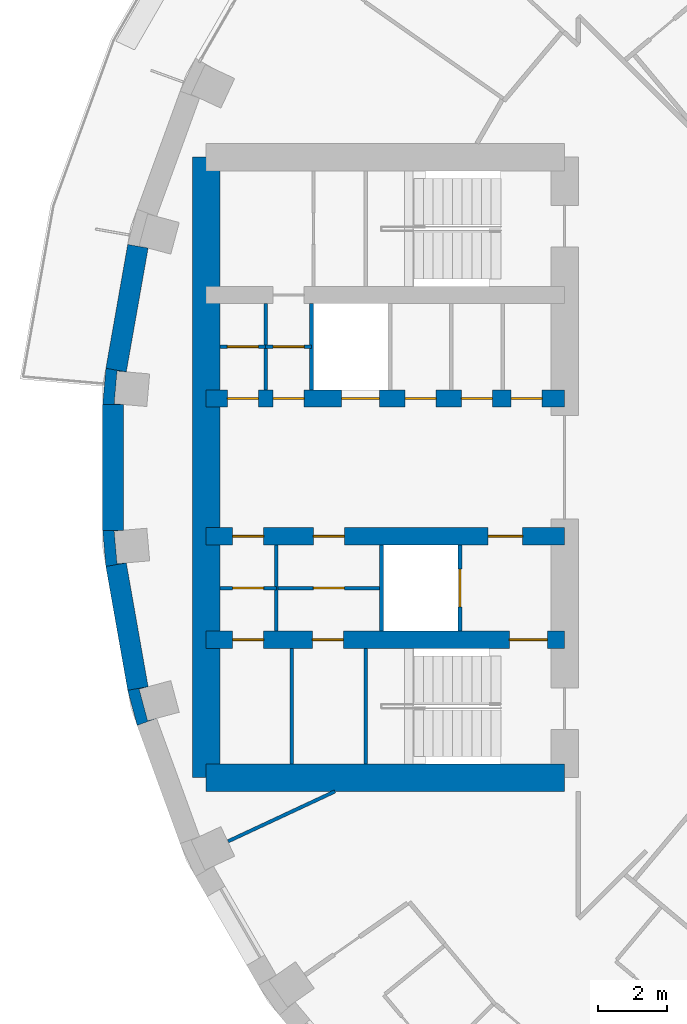
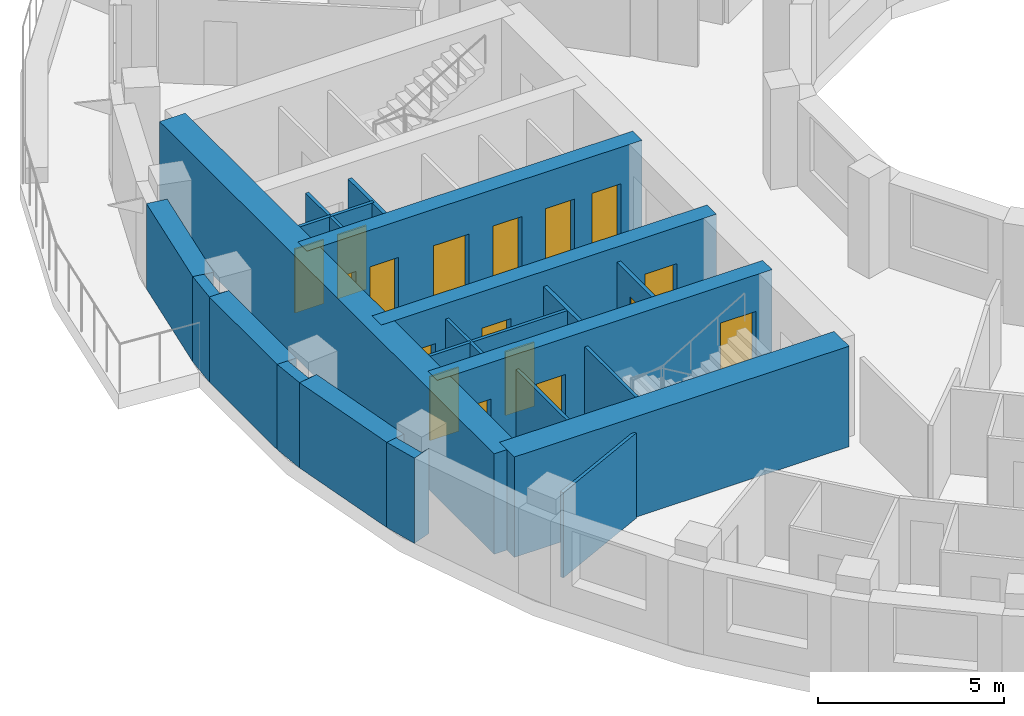
# One storey, part 6 of 14: 23 walls, 17 doors, 17 openings.
"""IFC4 building model written with IfcOpenShell, lengths in metres."""

from ifc_helpers import new_model, si_unit, direction, frame, frame_2d, origin, place, context, subcontext, project, spatial, polyline, rectangle, outline, extrude, material, layer, layer_set, type_object, element, fill, save


model = new_model("IFC4")

# Units and contexts
model_context = context("Model", 3, precision=1e-05, world=origin(), true_north=direction((0.0, 1.0)))
body_context = subcontext(model_context, "Body", "Model", "MODEL_VIEW")
ifc_project = project(units=[si_unit("LENGTHUNIT", "METRE"), si_unit("AREAUNIT", "SQUARE_METRE"), si_unit("VOLUMEUNIT", "CUBIC_METRE"), si_unit("PLANEANGLEUNIT", "RADIAN"), si_unit("MASSUNIT", "GRAM", prefix="KILO")], contexts=[model_context])

# Site, building, storey
site_placement = place(None, origin())
site = spatial("IfcSite", under=ifc_project, at=site_placement, CompositionType="ELEMENT")
building_placement = place(site_placement, origin())
building = spatial("IfcBuilding", under=site, at=building_placement, Name="Saqina Gate Tower", CompositionType="ELEMENT")
storey_placement = place(building_placement, frame((0.0, 0.0, 105.10009765625)))
storey = spatial("IfcBuildingStorey", under=building, at=storey_placement, Name="L29", CompositionType="ELEMENT", Elevation=105.10009765625)

# Walls
ifc_material_1 = material(Name="Brick masonry (buff)", Category="masonry")
wall_type_1 = type_object("IfcWallType", Name="BRICK PIER COPING BUFF", PredefinedType="SOLIDWALL", material=ifc_material_1)
wall_1_placement = place(storey_placement, origin())
element("IfcWall", 1, at=wall_1_placement, inside=storey, type_object=wall_type_1, Name="Pier cap L29 column 18", PredefinedType="SOLIDWALL", context=body_context, shape_type="SweptSolid", body=[
    extrude(outline(polyline([(-26.805419921875, 2.87451171875), (-26.897216796875, 1.823974609375), (-26.29736328125, 1.823974609375), (-26.565185546875, 1.847412109375), (-26.482421875, 2.793701171875), (-26.214599609375, 2.770263671875), (-26.805419921875, 2.87451171875)])), origin(), (0.0, 0.0, 1.0), 2.7998046875),
])
wall_2_placement = place(storey_placement, origin())
element("IfcWall", 2, at=wall_2_placement, inside=storey, type_object=wall_type_1, Name="Pier cap L29 column 19", PredefinedType="SOLIDWALL", context=body_context, shape_type="SweptSolid", body=[
    extrude(outline(polyline([(-26.805419921875, -2.87451171875), (-26.214599609375, -2.770263671875), (-26.482421875, -2.793701171875), (-26.565185546875, -1.847412109375), (-26.29736328125, -1.823974609375), (-26.897216796875, -1.823974609375), (-26.805419921875, -2.87451171875)])), origin(), (0.0, 0.0, 1.0), 2.7998046875),
])
wall_3_placement = place(storey_placement, origin())
element("IfcWall", 3, at=wall_3_placement, inside=storey, type_object=wall_type_1, Name="Pier cap L29 column 20", PredefinedType="SOLIDWALL", context=body_context, shape_type="SweptSolid", body=[
    extrude(outline(polyline([(-26.171875, -6.466796875), (-25.89892578125, -7.485595703125), (-25.335205078125, -7.2802734375), (-25.5947265625, -7.349853515625), (-25.8408203125, -6.43212890625), (-25.5810546875, -6.36279296875), (-26.171875, -6.466796875)])), origin(), (0.0, 0.0, 1.0), 2.7998046875),
])
ifc_material_2 = material(Name="Gypsum board on steel studs", Category="steel")
ifc_layer_1 = layer(ifc_material_2, 0.10009765625)
ifc_layer_set_1 = layer_set([ifc_layer_1], Name="CORE PARTITION")
wall_type_2 = type_object("IfcWallType", Name="CORE PARTITION", PredefinedType="PARTITIONING", material=ifc_layer_set_1)
for number, where, z_axis, x_axis, name in (
    (4, (-22.169921875, 2.25, 0.0), (0.0, 0.0, 1.0), (0.0, 1.0, 0.0), "L29-CP-W05"),
    (5, (-21.8583984375, -4.75, 0.0), (0.0, 0.0, 1.0), (0.0, 1.0, 0.0), "L29-CP-W08"),
):
    element("IfcWall", number, at=place(storey_placement, frame(where, z_axis=z_axis, x_axis=x_axis)), inside=storey, type_object=wall_type_2, Name=name, PredefinedType="PARTITIONING", context=body_context, shape_type="SweptSolid", body=[
        extrude(rectangle(XDim=2.5, YDim=0.10009765625, at=frame_2d((1.25, 0.0))), origin(), (0.0, 0.0, 1.0), 2.7998046875),
    ])

# Wall, opening, door
wall_4_placement = place(storey_placement, frame((-20.840087890625, 3.5, 0.0), z_axis=(0.0, 0.0, 1.0), x_axis=(-1.0, 0.0, 0.0)))
wall_4 = element("IfcWall", 6, at=wall_4_placement, inside=storey, type_object=wall_type_2, Name="L29-CP-W09", PredefinedType="PARTITIONING", context=body_context, shape_type="SweptSolid", body=[
    extrude(rectangle(XDim=1.329833984375, YDim=0.10009765625, at=frame_2d((0.6650390625, 0.0))), origin(), (0.0, 0.0, 1.0), 2.7998046875),
])
opening_1_placement = place(wall_4_placement, frame((0.215087890625, 0.0, 0.0)))
opening_1 = element("IfcOpeningElement", 7, at=opening_1_placement, cuts=wall_4, Name="Opening G08-D119", PredefinedType="OPENING", context=body_context, shape_type="SweptSolid", body=[
    extrude(rectangle(XDim=0.89990234375, YDim=2.10009765625, at=frame_2d((0.449951171875, 1.050048828125))), frame((0.0, 0.06201171875, 0.0), z_axis=(0.0, -1.0, 0.0), x_axis=(1.0, 0.0, 0.0)), (0.0, 0.0, 1.0), 0.1240234375),
])
ifc_material_3 = material(Name="Steel-framed fire door leaf, EI 60", Category="steel")
door_type_1 = type_object("IfcDoorType", Name="SERVICE ROOM DOOR 900", OperationType="SINGLE_SWING_LEFT", PredefinedType="DOOR", material=ifc_material_3)
door_1_placement = place(opening_1_placement, frame((0.89990234375, 0.0, 0.0), z_axis=(0.0, 0.0, 1.0), x_axis=(-1.0, 0.0, 0.0)))
door_1 = element("IfcDoor", 8, at=door_1_placement, inside=storey, type_object=door_type_1, Name="L29-CD-W30", OperationType="SINGLE_SWING_RIGHT", OverallHeight=2.10009765625, OverallWidth=0.89990234375, PredefinedType="DOOR", context=body_context, shape_type="SweptSolid", body=[
    extrude(rectangle(XDim=0.89990234375, YDim=2.10009765625, at=frame_2d((0.449951171875, 1.050048828125))), frame((0.0, 0.02490234375, 0.0), z_axis=(0.0, -1.0, 0.0), x_axis=(1.0, 0.0, 0.0)), (0.0, 0.0, 1.0), 0.050048828125),
])
fill(opening_1, door_1)

wall_5_placement = place(storey_placement, frame((-22.169921875, 3.5, 0.0), z_axis=(0.0, 0.0, 1.0), x_axis=(-1.0, 0.0, 0.0)))
wall_5 = element("IfcWall", 9, at=wall_5_placement, inside=storey, type_object=wall_type_2, Name="L29-CP-W10", PredefinedType="PARTITIONING", context=body_context, shape_type="SweptSolid", body=[
    extrude(rectangle(XDim=1.330078125, YDim=0.10009765625, at=frame_2d((0.6650390625, 0.0))), origin(), (0.0, 0.0, 1.0), 2.7998046875),
])
opening_2_placement = place(wall_5_placement, frame((0.215087890625, 0.0, 0.0)))
opening_2 = element("IfcOpeningElement", 10, at=opening_2_placement, cuts=wall_5, Name="Opening G08-D118", PredefinedType="OPENING", context=body_context, shape_type="SweptSolid", body=[
    extrude(rectangle(XDim=0.89990234375, YDim=2.10009765625, at=frame_2d((0.449951171875, 1.050048828125))), frame((0.0, 0.06201171875, 0.0), z_axis=(0.0, -1.0, 0.0), x_axis=(1.0, 0.0, 0.0)), (0.0, 0.0, 1.0), 0.1240234375),
])
door_2_placement = place(opening_2_placement, frame((0.89990234375, 0.0, 0.0), z_axis=(0.0, 0.0, 1.0), x_axis=(-1.0, 0.0, 0.0)))
door_2 = element("IfcDoor", 11, at=door_2_placement, inside=storey, type_object=door_type_1, Name="L29-CD-W29", OperationType="SINGLE_SWING_LEFT", OverallHeight=2.10009765625, OverallWidth=0.89990234375, PredefinedType="DOOR", context=body_context, shape_type="SweptSolid", body=[
    extrude(rectangle(XDim=0.89990234375, YDim=2.10009765625, at=frame_2d((0.449951171875, 1.050048828125))), frame((0.0, 0.02490234375, 0.0), z_axis=(0.0, -1.0, 0.0), x_axis=(1.0, 0.0, 0.0)), (0.0, 0.0, 1.0), 0.050048828125),
])
fill(opening_2, door_2)

wall_6_placement = place(storey_placement, frame((-18.81005859375, -3.5, 0.0), z_axis=(0.0, 0.0, 1.0), x_axis=(-1.0, 0.0, 0.0)))
wall_6 = element("IfcWall", 12, at=wall_6_placement, inside=storey, type_object=wall_type_2, Name="L29-CP-W11", PredefinedType="PARTITIONING", context=body_context, shape_type="SweptSolid", body=[
    extrude(rectangle(XDim=3.04833984375, YDim=0.10009765625, at=frame_2d((1.524169921875, 0.0))), origin(), (0.0, 0.0, 1.0), 2.7998046875),
])
opening_3_placement = place(wall_6_placement, frame((1.07421875, 0.0, 0.0)))
opening_3 = element("IfcOpeningElement", 13, at=opening_3_placement, cuts=wall_6, Name="Opening G08-D123", PredefinedType="OPENING", context=body_context, shape_type="SweptSolid", body=[
    extrude(rectangle(XDim=0.89990234375, YDim=2.10009765625, at=frame_2d((0.449951171875, 1.050048828125))), frame((0.0, 0.06201171875, 0.0), z_axis=(0.0, -1.0, 0.0), x_axis=(1.0, 0.0, 0.0)), (0.0, 0.0, 1.0), 0.1240234375),
])
door_3_placement = place(opening_3_placement, origin())
door_3 = element("IfcDoor", 14, at=door_3_placement, inside=storey, type_object=door_type_1, Name="L29-CD-W34", OperationType="SINGLE_SWING_LEFT", OverallHeight=2.10009765625, OverallWidth=0.89990234375, PredefinedType="DOOR", context=body_context, shape_type="SweptSolid", body=[
    extrude(rectangle(XDim=0.89990234375, YDim=2.10009765625, at=frame_2d((0.449951171875, 1.050048828125))), frame((0.0, 0.02490234375, 0.0), z_axis=(0.0, -1.0, 0.0), x_axis=(1.0, 0.0, 0.0)), (0.0, 0.0, 1.0), 0.050048828125),
])
fill(opening_3, door_3)

wall_7_placement = place(storey_placement, frame((-21.8583984375, -3.5, 0.0), z_axis=(0.0, 0.0, 1.0), x_axis=(-1.0, 0.0, 0.0)))
wall_7 = element("IfcWall", 15, at=wall_7_placement, inside=storey, type_object=wall_type_2, Name="L29-CP-W12", PredefinedType="PARTITIONING", context=body_context, shape_type="SweptSolid", body=[
    extrude(rectangle(XDim=1.6416015625, YDim=0.10009765625, at=frame_2d((0.82080078125, 0.0))), origin(), (0.0, 0.0, 1.0), 2.7998046875),
])
opening_4_placement = place(wall_7_placement, frame((0.370849609375, 0.0, 0.0)))
opening_4 = element("IfcOpeningElement", 16, at=opening_4_placement, cuts=wall_7, Name="Opening G08-D122", PredefinedType="OPENING", context=body_context, shape_type="SweptSolid", body=[
    extrude(rectangle(XDim=0.89990234375, YDim=2.10009765625, at=frame_2d((0.449951171875, 1.050048828125))), frame((0.0, 0.06201171875, 0.0), z_axis=(0.0, -1.0, 0.0), x_axis=(1.0, 0.0, 0.0)), (0.0, 0.0, 1.0), 0.1240234375),
])
door_4_placement = place(opening_4_placement, origin())
door_4 = element("IfcDoor", 17, at=door_4_placement, inside=storey, type_object=door_type_1, Name="L29-CD-W33", OperationType="SINGLE_SWING_RIGHT", OverallHeight=2.10009765625, OverallWidth=0.89990234375, PredefinedType="DOOR", context=body_context, shape_type="SweptSolid", body=[
    extrude(rectangle(XDim=0.89990234375, YDim=2.10009765625, at=frame_2d((0.449951171875, 1.050048828125))), frame((0.0, 0.02490234375, 0.0), z_axis=(0.0, -1.0, 0.0), x_axis=(1.0, 0.0, 0.0)), (0.0, 0.0, 1.0), 0.050048828125),
])
fill(opening_4, door_4)

# Walls
wall_8_placement = place(storey_placement, frame((-21.409912109375, -8.60009765625, 0.0), z_axis=(0.0, 0.0, 1.0), x_axis=(0.0, 1.0, 0.0)))
element("IfcWall", 18, at=wall_8_placement, inside=storey, type_object=wall_type_2, Name="L29-CP-W16", PredefinedType="PARTITIONING", context=body_context, shape_type="SweptSolid", body=[
    extrude(rectangle(XDim=3.35009765625, YDim=0.10009765625, at=frame_2d((1.675048828125, 0.0))), origin(), (0.0, 0.0, 1.0), 2.7998046875),
])
ifc_material_4 = material(Name="Glazed ceramic tile", Category="ceramic")
ifc_layer_2 = layer(ifc_material_4, 0.60009765625)
ifc_layer_set_2 = layer_set([ifc_layer_2], Name="FW-TILE")
wall_type_3 = type_object("IfcWallType", Name="FW-TILE", PredefinedType="SOLIDWALL", material=ifc_layer_set_2)
wall_9_placement = place(storey_placement, frame((-26.59716796875, 1.823974609375, 0.0), z_axis=(0.0, 0.0, 1.0), x_axis=(0.0, -1.0, 0.0)))
element("IfcWall", 19, at=wall_9_placement, inside=storey, type_object=wall_type_3, Name="Facade wall L29 facet 18", PredefinedType="SOLIDWALL", context=body_context, shape_type="SweptSolid", body=[
    extrude(rectangle(XDim=3.64794921875, YDim=0.60009765625, at=frame_2d((1.823974609375, 0.0))), origin(), (0.0, 0.0, 1.0), 2.7998046875),
])
ifc_material_5 = material(Name="Glazed ceramic tile (dark blue)", Category="ceramic")
ifc_layer_3 = layer(ifc_material_5, 0.60009765625)
ifc_layer_set_3 = layer_set([ifc_layer_3], Name="FW-TILE-CB")
wall_type_4 = type_object("IfcWallType", Name="FW-TILE-CB", PredefinedType="SOLIDWALL", material=ifc_layer_set_3)
wall_10_placement = place(storey_placement, frame((-25.87646484375, 6.414794921875, 0.0), z_axis=(0.0, 0.0, 1.0), x_axis=(-0.173670796382, -0.984803764455, 0.0)))
element("IfcWall", 20, at=wall_10_placement, inside=storey, type_object=wall_type_4, Name="Facade wall L29 facet 17", PredefinedType="SOLIDWALL", context=body_context, shape_type="SweptSolid", body=[
    extrude(rectangle(XDim=3.64794921875, YDim=0.60009765625, at=frame_2d((1.823974609375, 0.0))), origin(), (0.0, 0.0, 1.0), 2.7998046875),
])
ifc_material_6 = material(Name="Glazed ceramic tile (white)", Category="ceramic")
ifc_layer_4 = layer(ifc_material_6, 0.60009765625)
ifc_layer_set_4 = layer_set([ifc_layer_4], Name="FW-TILE-WH")
wall_type_5 = type_object("IfcWallType", Name="FW-TILE-WH", PredefinedType="SOLIDWALL", material=ifc_layer_set_4)
wall_11_placement = place(storey_placement, frame((-26.510009765625, -2.822265625, 0.0), z_axis=(0.0, 0.0, 1.0), x_axis=(0.173670796382, -0.984803764455, 0.0)))
element("IfcWall", 21, at=wall_11_placement, inside=storey, type_object=wall_type_5, Name="Facade wall L29 facet 19", PredefinedType="SOLIDWALL", context=body_context, shape_type="SweptSolid", body=[
    extrude(rectangle(XDim=3.64794921875, YDim=0.60009765625, at=frame_2d((1.823974609375, 0.0))), origin(), (0.0, 0.0, 1.0), 2.7998046875),
])
ifc_material_7 = material(Name="Gypsum board on steel studs, 100 mm", Category="steel")
ifc_layer_5 = layer(ifc_material_7, 0.10009765625)
ifc_layer_set_5 = layer_set([ifc_layer_5], Name="PARTITION 100")
wall_type_6 = type_object("IfcWallType", Name="PARTITION 100", PredefinedType="PARTITIONING", material=ifc_layer_set_5)
wall_12_placement = place(storey_placement, frame((-23.260009765625, -10.84716796875, 0.0), z_axis=(0.0, 0.0, 1.0), x_axis=(0.906121146584, 0.423018282954, 0.0)))
element("IfcWall", 22, at=wall_12_placement, inside=storey, type_object=wall_type_6, Name="PARTITION PW3-60", PredefinedType="PARTITIONING", context=body_context, shape_type="SweptSolid", body=[
    extrude(rectangle(XDim=3.42138671875, YDim=0.10009765625, at=frame_2d((1.710693359375, 0.0))), origin(), (0.0, 0.0, 1.0), 2.7998046875),
])
ifc_material_8 = material(Name="Autoclaved aerated concrete block", Category="concrete")
ifc_layer_6 = layer(ifc_material_8, 0.1201171875)
ifc_layer_set_6 = layer_set([ifc_layer_6], Name="SHAFT PARTITION")
wall_type_7 = type_object("IfcWallType", Name="SHAFT PARTITION", PredefinedType="PARTITIONING", material=ifc_layer_set_6)
wall_13_placement = place(storey_placement, frame((-20.840087890625, 2.25, 0.0), z_axis=(0.0, 0.0, 1.0), x_axis=(0.0, 1.0, 0.0)))
element("IfcWall", 23, at=wall_13_placement, inside=storey, type_object=wall_type_7, Name="L29-CP-W04", PredefinedType="PARTITIONING", context=body_context, shape_type="SweptSolid", body=[
    extrude(rectangle(XDim=2.5, YDim=0.1201171875, at=frame_2d((1.25, 0.0))), origin(), (0.0, 0.0, 1.0), 2.7998046875),
])

# Wall, opening, door
wall_14_placement = place(storey_placement, frame((-16.530029296875, -4.75, 0.0), z_axis=(0.0, 0.0, 1.0), x_axis=(0.0, 1.0, 0.0)))
wall_14 = element("IfcWall", 24, at=wall_14_placement, inside=storey, type_object=wall_type_7, Name="L29-CP-W06", PredefinedType="PARTITIONING", context=body_context, shape_type="SweptSolid", body=[
    extrude(rectangle(XDim=2.5, YDim=0.1201171875, at=frame_2d((1.25, 0.0))), origin(), (0.0, 0.0, 1.0), 2.7998046875),
])
opening_5_placement = place(wall_14_placement, frame((0.699951171875, 0.0, 0.0)))
opening_5 = element("IfcOpeningElement", 25, at=opening_5_placement, cuts=wall_14, Name="Opening G08-LD4", PredefinedType="OPENING", context=body_context, shape_type="SweptSolid", body=[
    extrude(rectangle(XDim=1.10009765625, YDim=2.10009765625, at=frame_2d((0.550048828125, 1.050048828125))), frame((0.0, 0.072021484375, 0.0), z_axis=(0.0, -1.0, 0.0), x_axis=(1.0, 0.0, 0.0)), (0.0, 0.0, 1.0), 0.14404296875),
])
ifc_material_9 = material(Name="Stainless steel", Category="steel")
door_type_2 = type_object("IfcDoorType", Name="LANDING DOOR", OperationType="DOUBLE_DOOR_SLIDING", PredefinedType="DOOR", material=ifc_material_9)
door_5_placement = place(opening_5_placement, origin())
door_5 = element("IfcDoor", 26, at=door_5_placement, inside=storey, type_object=door_type_2, Name="LANDING DOOR FF2", OperationType="DOUBLE_DOOR_SLIDING", OverallHeight=2.10009765625, OverallWidth=1.10009765625, PredefinedType="DOOR", context=body_context, shape_type="SweptSolid", body=[
    extrude(rectangle(XDim=1.10009765625, YDim=2.10009765625, at=frame_2d((0.550048828125, 1.050048828125))), frame((0.0, 0.02490234375, 0.0), z_axis=(0.0, -1.0, 0.0), x_axis=(1.0, 0.0, 0.0)), (0.0, 0.0, 1.0), 0.050048828125),
])
fill(opening_5, door_5)

# Walls
wall_15_placement = place(storey_placement, frame((-18.81005859375, -4.75, 0.0), z_axis=(0.0, 0.0, 1.0), x_axis=(0.0, 1.0, 0.0)))
element("IfcWall", 27, at=wall_15_placement, inside=storey, type_object=wall_type_7, Name="L29-CP-W07", PredefinedType="PARTITIONING", context=body_context, shape_type="SweptSolid", body=[
    extrude(rectangle(XDim=2.5, YDim=0.1201171875, at=frame_2d((1.25, 0.0))), origin(), (0.0, 0.0, 1.0), 2.7998046875),
])
ifc_material_10 = material(Name="Autoclaved aerated concrete block", Category="concrete")
ifc_layer_7 = layer(ifc_material_10, 0.10009765625)
ifc_layer_set_7 = layer_set([ifc_layer_7], Name="STAIR ENCLOSURE WALL")
wall_type_8 = type_object("IfcWallType", Name="STAIR ENCLOSURE WALL", PredefinedType="PARTITIONING", material=ifc_layer_set_7)
wall_16_placement = place(storey_placement, frame((-19.27001953125, -8.60009765625, 0.0), z_axis=(0.0, 0.0, 1.0), x_axis=(0.0, 1.0, 0.0)))
element("IfcWall", 28, at=wall_16_placement, inside=storey, type_object=wall_type_8, Name="L29-CP-W15", PredefinedType="PARTITIONING", context=body_context, shape_type="SweptSolid", body=[
    extrude(rectangle(XDim=3.35009765625, YDim=0.10009765625, at=frame_2d((1.675048828125, 0.0))), origin(), (0.0, 0.0, 1.0), 2.7998046875),
])

# Wall, openings, doors
ifc_material_11 = material(Name="Concrete C70/85", Category="concrete")
ifc_layer_8 = layer(ifc_material_11, 0.5)
ifc_layer_set_8 = layer_set([ifc_layer_8], Name="Concrete C70/85")
wall_type_9 = type_object("IfcWallType", Name="STR-CORE WALL-B-I", PredefinedType="SHEAR", material=ifc_layer_set_8)
wall_17_placement = place(storey_placement, frame((-13.5, -5.0, 0.0), z_axis=(0.0, 0.0, 1.0), x_axis=(-1.0, 0.0, 0.0)))
wall_17 = element("IfcWall", 29, at=wall_17_placement, inside=storey, type_object=wall_type_9, Name="CORE WALL L29 W-X2", PredefinedType="SHEAR", context=body_context, shape_type="SweptSolid", body=[
    extrude(rectangle(XDim=10.39990234375, YDim=0.5, at=frame_2d((5.199951171875, 0.0))), origin(), (0.0, 0.0, 1.0), 3.2998046875),
])
opening_6_placement = place(wall_17_placement, frame((6.4150390625, 0.0, 0.0)))
opening_6 = element("IfcOpeningElement", 30, at=opening_6_placement, cuts=wall_17, Name="Opening G08-D124", PredefinedType="OPENING", context=body_context, shape_type="SweptSolid", body=[
    extrude(rectangle(XDim=0.89990234375, YDim=2.10009765625, at=frame_2d((0.449951171875, 1.050048828125))), frame((0.0, 0.261962890625, 0.0), z_axis=(0.0, -1.0, 0.0), x_axis=(1.0, 0.0, 0.0)), (0.0, 0.0, 1.0), 0.52392578125),
])
opening_7_placement = place(wall_17_placement, frame((8.729248046875, 0.0, 0.0)))
opening_7 = element("IfcOpeningElement", 31, at=opening_7_placement, cuts=wall_17, Name="Opening G08-D125", PredefinedType="OPENING", context=body_context, shape_type="SweptSolid", body=[
    extrude(rectangle(XDim=0.89990234375, YDim=2.10009765625, at=frame_2d((0.449951171875, 1.050048828125))), frame((0.0, 0.261962890625, 0.0), z_axis=(0.0, -1.0, 0.0), x_axis=(1.0, 0.0, 0.0)), (0.0, 0.0, 1.0), 0.52392578125),
])
opening_8_placement = place(wall_17_placement, frame((0.5, 0.0, 0.0)))
opening_8 = element("IfcOpeningElement", 32, at=opening_8_placement, cuts=wall_17, Name="Opening G08-D126", PredefinedType="OPENING", context=body_context, shape_type="SweptSolid", body=[
    extrude(rectangle(XDim=1.10009765625, YDim=2.10009765625, at=frame_2d((0.550048828125, 1.050048828125))), frame((0.0, 0.261962890625, 0.0), z_axis=(0.0, -1.0, 0.0), x_axis=(1.0, 0.0, 0.0)), (0.0, 0.0, 1.0), 0.52392578125),
])
ifc_material_12 = material(Name="Steel", Category="steel")
door_type_3 = type_object("IfcDoorType", Name="FIRE LOBBY DOOR EI 60 WIDE", OperationType="SINGLE_SWING_LEFT", PredefinedType="DOOR", material=ifc_material_12)
door_6_placement = place(opening_8_placement, origin())
door_6 = element("IfcDoor", 33, at=door_6_placement, inside=storey, type_object=door_type_3, Name="L29-CD-W37", OperationType="SINGLE_SWING_LEFT", OverallHeight=2.10009765625, OverallWidth=1.10009765625, PredefinedType="DOOR", context=body_context, shape_type="SweptSolid", body=[
    extrude(rectangle(XDim=1.10009765625, YDim=2.10009765625, at=frame_2d((0.550048828125, 1.050048828125))), frame((0.0, 0.02490234375, 0.0), z_axis=(0.0, -1.0, 0.0), x_axis=(1.0, 0.0, 0.0)), (0.0, 0.0, 1.0), 0.050048828125),
])
fill(opening_8, door_6)
door_7_placement = place(opening_6_placement, origin())
door_7 = element("IfcDoor", 34, at=door_7_placement, inside=storey, type_object=door_type_1, Name="L29-CD-W35", OperationType="SINGLE_SWING_RIGHT", OverallHeight=2.10009765625, OverallWidth=0.89990234375, PredefinedType="DOOR", context=body_context, shape_type="SweptSolid", body=[
    extrude(rectangle(XDim=0.89990234375, YDim=2.10009765625, at=frame_2d((0.449951171875, 1.050048828125))), frame((0.0, 0.02490234375, 0.0), z_axis=(0.0, -1.0, 0.0), x_axis=(1.0, 0.0, 0.0)), (0.0, 0.0, 1.0), 0.050048828125),
])
fill(opening_6, door_7)
door_8_placement = place(opening_7_placement, origin())
door_8 = element("IfcDoor", 35, at=door_8_placement, inside=storey, type_object=door_type_1, Name="L29-CD-W36", OperationType="SINGLE_SWING_RIGHT", OverallHeight=2.10009765625, OverallWidth=0.89990234375, PredefinedType="DOOR", context=body_context, shape_type="SweptSolid", body=[
    extrude(rectangle(XDim=0.89990234375, YDim=2.10009765625, at=frame_2d((0.449951171875, 1.050048828125))), frame((0.0, 0.02490234375, 0.0), z_axis=(0.0, -1.0, 0.0), x_axis=(1.0, 0.0, 0.0)), (0.0, 0.0, 1.0), 0.050048828125),
])
fill(opening_7, door_8)

wall_18_placement = place(storey_placement, frame((-13.5, 2.0, 0.0), z_axis=(0.0, 0.0, 1.0), x_axis=(-1.0, 0.0, 0.0)))
wall_18 = element("IfcWall", 36, at=wall_18_placement, inside=storey, type_object=wall_type_9, Name="CORE WALL L29 W-L1", PredefinedType="SHEAR", context=body_context, shape_type="SweptSolid", body=[
    extrude(rectangle(XDim=10.39990234375, YDim=0.5, at=frame_2d((5.199951171875, 0.0))), origin(), (0.0, 0.0, 1.0), 3.2998046875),
])
opening_9_placement = place(wall_18_placement, frame((5.3701171875, 0.0, 0.0)))
opening_9 = element("IfcOpeningElement", 37, at=opening_9_placement, cuts=wall_18, Name="Opening G08-LD3", PredefinedType="OPENING", context=body_context, shape_type="SweptSolid", body=[
    extrude(rectangle(XDim=1.10009765625, YDim=2.10009765625, at=frame_2d((0.550048828125, 1.050048828125))), frame((0.0, 0.261962890625, 0.0), z_axis=(0.0, -1.0, 0.0), x_axis=(1.0, 0.0, 0.0)), (0.0, 0.0, 1.0), 0.52392578125),
])
opening_10_placement = place(wall_18_placement, frame((0.64892578125, 0.0, 0.0)))
opening_10 = element("IfcOpeningElement", 38, at=opening_10_placement, cuts=wall_18, Name="Opening G08-D110", PredefinedType="OPENING", context=body_context, shape_type="SweptSolid", body=[
    extrude(rectangle(XDim=0.89990234375, YDim=2.10009765625, at=frame_2d((0.449951171875, 1.050048828125))), frame((0.0, 0.261962890625, 0.0), z_axis=(0.0, -1.0, 0.0), x_axis=(1.0, 0.0, 0.0)), (0.0, 0.0, 1.0), 0.52392578125),
])
opening_11_placement = place(wall_18_placement, frame((2.093505859375, 0.0, 0.0)))
opening_11 = element("IfcOpeningElement", 39, at=opening_11_placement, cuts=wall_18, Name="Opening G08-D111", PredefinedType="OPENING", context=body_context, shape_type="SweptSolid", body=[
    extrude(rectangle(XDim=0.89990234375, YDim=2.10009765625, at=frame_2d((0.449951171875, 1.050048828125))), frame((0.0, 0.261962890625, 0.0), z_axis=(0.0, -1.0, 0.0), x_axis=(1.0, 0.0, 0.0)), (0.0, 0.0, 1.0), 0.52392578125),
])
opening_12_placement = place(wall_18_placement, frame((3.724609375, 0.0, 0.0)))
opening_12 = element("IfcOpeningElement", 40, at=opening_12_placement, cuts=wall_18, Name="Opening G08-D112", PredefinedType="OPENING", context=body_context, shape_type="SweptSolid", body=[
    extrude(rectangle(XDim=0.89990234375, YDim=2.10009765625, at=frame_2d((0.449951171875, 1.050048828125))), frame((0.0, 0.261962890625, 0.0), z_axis=(0.0, -1.0, 0.0), x_axis=(1.0, 0.0, 0.0)), (0.0, 0.0, 1.0), 0.52392578125),
])
opening_13_placement = place(wall_18_placement, frame((7.554931640625, 0.0, 0.0)))
opening_13 = element("IfcOpeningElement", 41, at=opening_13_placement, cuts=wall_18, Name="Opening G08-D113", PredefinedType="OPENING", context=body_context, shape_type="SweptSolid", body=[
    extrude(rectangle(XDim=0.89990234375, YDim=2.10009765625, at=frame_2d((0.449951171875, 1.050048828125))), frame((0.0, 0.261962890625, 0.0), z_axis=(0.0, -1.0, 0.0), x_axis=(1.0, 0.0, 0.0)), (0.0, 0.0, 1.0), 0.52392578125),
])
opening_14_placement = place(wall_18_placement, frame((8.885009765625, 0.0, 0.0)))
opening_14 = element("IfcOpeningElement", 42, at=opening_14_placement, cuts=wall_18, Name="Opening G08-D114", PredefinedType="OPENING", context=body_context, shape_type="SweptSolid", body=[
    extrude(rectangle(XDim=0.89990234375, YDim=2.10009765625, at=frame_2d((0.449951171875, 1.050048828125))), frame((0.0, 0.261962890625, 0.0), z_axis=(0.0, -1.0, 0.0), x_axis=(1.0, 0.0, 0.0)), (0.0, 0.0, 1.0), 0.52392578125),
])
door_9_placement = place(opening_9_placement, origin())
door_9 = element("IfcDoor", 43, at=door_9_placement, inside=storey, type_object=door_type_2, Name="LANDING DOOR MR2", OperationType="DOUBLE_DOOR_SLIDING", OverallHeight=2.10009765625, OverallWidth=1.10009765625, PredefinedType="DOOR", context=body_context, shape_type="SweptSolid", body=[
    extrude(rectangle(XDim=1.10009765625, YDim=2.10009765625, at=frame_2d((0.550048828125, 1.050048828125))), frame((0.0, 0.02490234375, 0.0), z_axis=(0.0, -1.0, 0.0), x_axis=(1.0, 0.0, 0.0)), (0.0, 0.0, 1.0), 0.050048828125),
])
fill(opening_9, door_9)
door_10_placement = place(opening_10_placement, frame((0.89990234375, 0.0, 0.0), z_axis=(0.0, 0.0, 1.0), x_axis=(-1.0, 0.0, 0.0)))
door_10 = element("IfcDoor", 44, at=door_10_placement, inside=storey, type_object=door_type_1, Name="L29-CD-W21", OperationType="SINGLE_SWING_RIGHT", OverallHeight=2.10009765625, OverallWidth=0.89990234375, PredefinedType="DOOR", context=body_context, shape_type="SweptSolid", body=[
    extrude(rectangle(XDim=0.89990234375, YDim=2.10009765625, at=frame_2d((0.449951171875, 1.050048828125))), frame((0.0, 0.02490234375, 0.0), z_axis=(0.0, -1.0, 0.0), x_axis=(1.0, 0.0, 0.0)), (0.0, 0.0, 1.0), 0.050048828125),
])
fill(opening_10, door_10)
door_11_placement = place(opening_11_placement, frame((0.89990234375, 0.0, 0.0), z_axis=(0.0, 0.0, 1.0), x_axis=(-1.0, 0.0, 0.0)))
door_11 = element("IfcDoor", 45, at=door_11_placement, inside=storey, type_object=door_type_1, Name="L29-CD-W22", OperationType="SINGLE_SWING_RIGHT", OverallHeight=2.10009765625, OverallWidth=0.89990234375, PredefinedType="DOOR", context=body_context, shape_type="SweptSolid", body=[
    extrude(rectangle(XDim=0.89990234375, YDim=2.10009765625, at=frame_2d((0.449951171875, 1.050048828125))), frame((0.0, 0.02490234375, 0.0), z_axis=(0.0, -1.0, 0.0), x_axis=(1.0, 0.0, 0.0)), (0.0, 0.0, 1.0), 0.050048828125),
])
fill(opening_11, door_11)
door_12_placement = place(opening_12_placement, frame((0.89990234375, 0.0, 0.0), z_axis=(0.0, 0.0, 1.0), x_axis=(-1.0, 0.0, 0.0)))
door_12 = element("IfcDoor", 46, at=door_12_placement, inside=storey, type_object=door_type_1, Name="L29-CD-W23", OperationType="SINGLE_SWING_LEFT", OverallHeight=2.10009765625, OverallWidth=0.89990234375, PredefinedType="DOOR", context=body_context, shape_type="SweptSolid", body=[
    extrude(rectangle(XDim=0.89990234375, YDim=2.10009765625, at=frame_2d((0.449951171875, 1.050048828125))), frame((0.0, 0.02490234375, 0.0), z_axis=(0.0, -1.0, 0.0), x_axis=(1.0, 0.0, 0.0)), (0.0, 0.0, 1.0), 0.050048828125),
])
fill(opening_12, door_12)
door_13_placement = place(opening_13_placement, frame((0.89990234375, 0.0, 0.0), z_axis=(0.0, 0.0, 1.0), x_axis=(-1.0, 0.0, 0.0)))
door_13 = element("IfcDoor", 47, at=door_13_placement, inside=storey, type_object=door_type_1, Name="L29-CD-W24", OperationType="SINGLE_SWING_RIGHT", OverallHeight=2.10009765625, OverallWidth=0.89990234375, PredefinedType="DOOR", context=body_context, shape_type="SweptSolid", body=[
    extrude(rectangle(XDim=0.89990234375, YDim=2.10009765625, at=frame_2d((0.449951171875, 1.050048828125))), frame((0.0, 0.02490234375, 0.0), z_axis=(0.0, -1.0, 0.0), x_axis=(1.0, 0.0, 0.0)), (0.0, 0.0, 1.0), 0.050048828125),
])
fill(opening_13, door_13)
door_14_placement = place(opening_14_placement, frame((0.89990234375, 0.0, 0.0), z_axis=(0.0, 0.0, 1.0), x_axis=(-1.0, 0.0, 0.0)))
door_14 = element("IfcDoor", 48, at=door_14_placement, inside=storey, type_object=door_type_1, Name="L29-CD-W25", OperationType="SINGLE_SWING_LEFT", OverallHeight=2.10009765625, OverallWidth=0.89990234375, PredefinedType="DOOR", context=body_context, shape_type="SweptSolid", body=[
    extrude(rectangle(XDim=0.89990234375, YDim=2.10009765625, at=frame_2d((0.449951171875, 1.050048828125))), frame((0.0, 0.02490234375, 0.0), z_axis=(0.0, -1.0, 0.0), x_axis=(1.0, 0.0, 0.0)), (0.0, 0.0, 1.0), 0.050048828125),
])
fill(opening_14, door_14)

wall_19_placement = place(storey_placement, frame((-13.5, -2.0, 0.0), z_axis=(0.0, 0.0, 1.0), x_axis=(-1.0, 0.0, 0.0)))
wall_19 = element("IfcWall", 49, at=wall_19_placement, inside=storey, type_object=wall_type_9, Name="CORE WALL L29 W-L2", PredefinedType="SHEAR", context=body_context, shape_type="SweptSolid", body=[
    extrude(rectangle(XDim=10.39990234375, YDim=0.5, at=frame_2d((5.199951171875, 0.0))), origin(), (0.0, 0.0, 1.0), 3.2998046875),
])
opening_15_placement = place(wall_19_placement, frame((1.215087890625, 0.0, 0.0)))
opening_15 = element("IfcOpeningElement", 50, at=opening_15_placement, cuts=wall_19, Name="Opening G08-D115", PredefinedType="OPENING", context=body_context, shape_type="SweptSolid", body=[
    extrude(rectangle(XDim=1.0, YDim=2.10009765625, at=frame_2d((0.5, 1.050048828125))), frame((0.0, 0.261962890625, 0.0), z_axis=(0.0, -1.0, 0.0), x_axis=(1.0, 0.0, 0.0)), (0.0, 0.0, 1.0), 0.52392578125),
])
opening_16_placement = place(wall_19_placement, frame((6.38427734375, 0.0, 0.0)))
opening_16 = element("IfcOpeningElement", 51, at=opening_16_placement, cuts=wall_19, Name="Opening G08-D116", PredefinedType="OPENING", context=body_context, shape_type="SweptSolid", body=[
    extrude(rectangle(XDim=0.89990234375, YDim=2.10009765625, at=frame_2d((0.449951171875, 1.050048828125))), frame((0.0, 0.261962890625, 0.0), z_axis=(0.0, -1.0, 0.0), x_axis=(1.0, 0.0, 0.0)), (0.0, 0.0, 1.0), 0.52392578125),
])
opening_17_placement = place(wall_19_placement, frame((8.729248046875, 0.0, 0.0)))
opening_17 = element("IfcOpeningElement", 52, at=opening_17_placement, cuts=wall_19, Name="Opening G08-D117", PredefinedType="OPENING", context=body_context, shape_type="SweptSolid", body=[
    extrude(rectangle(XDim=0.89990234375, YDim=2.10009765625, at=frame_2d((0.449951171875, 1.050048828125))), frame((0.0, 0.261962890625, 0.0), z_axis=(0.0, -1.0, 0.0), x_axis=(1.0, 0.0, 0.0)), (0.0, 0.0, 1.0), 0.52392578125),
])
ifc_material_13 = material(Name="Steel", Category="steel")
door_type_4 = type_object("IfcDoorType", Name="FIRE LOBBY DOOR EI 60", OperationType="SINGLE_SWING_LEFT", PredefinedType="DOOR", material=ifc_material_13)
door_15_placement = place(opening_15_placement, frame((1.0, 0.0, 0.0), z_axis=(0.0, 0.0, 1.0), x_axis=(-1.0, 0.0, 0.0)))
door_15 = element("IfcDoor", 53, at=door_15_placement, inside=storey, type_object=door_type_4, Name="L29-CD-W26", OperationType="SINGLE_SWING_RIGHT", OverallHeight=2.10009765625, OverallWidth=1.0, PredefinedType="DOOR", context=body_context, shape_type="SweptSolid", body=[
    extrude(rectangle(XDim=1.0, YDim=2.10009765625, at=frame_2d((0.5, 1.050048828125))), frame((0.0, 0.02490234375, 0.0), z_axis=(0.0, -1.0, 0.0), x_axis=(1.0, 0.0, 0.0)), (0.0, 0.0, 1.0), 0.050048828125),
])
fill(opening_15, door_15)
door_16_placement = place(opening_16_placement, origin())
door_16 = element("IfcDoor", 54, at=door_16_placement, inside=storey, type_object=door_type_1, Name="L29-CD-W27", OperationType="SINGLE_SWING_RIGHT", OverallHeight=2.10009765625, OverallWidth=0.89990234375, PredefinedType="DOOR", context=body_context, shape_type="SweptSolid", body=[
    extrude(rectangle(XDim=0.89990234375, YDim=2.10009765625, at=frame_2d((0.449951171875, 1.050048828125))), frame((0.0, 0.02490234375, 0.0), z_axis=(0.0, -1.0, 0.0), x_axis=(1.0, 0.0, 0.0)), (0.0, 0.0, 1.0), 0.050048828125),
])
fill(opening_16, door_16)
door_17_placement = place(opening_17_placement, origin())
door_17 = element("IfcDoor", 55, at=door_17_placement, inside=storey, type_object=door_type_1, Name="L29-CD-W28", OperationType="SINGLE_SWING_RIGHT", OverallHeight=2.10009765625, OverallWidth=0.89990234375, PredefinedType="DOOR", context=body_context, shape_type="SweptSolid", body=[
    extrude(rectangle(XDim=0.89990234375, YDim=2.10009765625, at=frame_2d((0.449951171875, 1.050048828125))), frame((0.0, 0.02490234375, 0.0), z_axis=(0.0, -1.0, 0.0), x_axis=(1.0, 0.0, 0.0)), (0.0, 0.0, 1.0), 0.050048828125),
])
fill(opening_17, door_17)

# Walls
ifc_material_14 = material(Name="Concrete C70/85", Category="concrete")
ifc_layer_9 = layer(ifc_material_14, 0.800048828125)
ifc_layer_set_9 = layer_set([ifc_layer_9], Name="Concrete C70/85")
wall_type_10 = type_object("IfcWallType", Name="STR-CORE WALL-B-O", PredefinedType="SHEAR", material=ifc_layer_set_9)
wall_20_placement = place(storey_placement, frame((-23.89990234375, -9.0, 0.0), z_axis=(0.0, 0.0, 1.0), x_axis=(0.0, 1.0, 0.0)))
element("IfcWall", 56, at=wall_20_placement, inside=storey, type_object=wall_type_10, Name="CORE WALL L29 W-W2", PredefinedType="SHEAR", context=body_context, shape_type="SweptSolid", body=[
    extrude(rectangle(XDim=18.0, YDim=0.800048828125, at=frame_2d((9.0, 0.0))), origin(), (0.0, 0.0, 1.0), 3.2998046875),
])
wall_21_placement = place(storey_placement, frame((-13.5, -9.0, 0.0), z_axis=(0.0, 0.0, 1.0), x_axis=(-1.0, 0.0, 0.0)))
element("IfcWall", 57, at=wall_21_placement, inside=storey, type_object=wall_type_10, Name="CORE WALL L29 W-SE", PredefinedType="SHEAR", context=body_context, shape_type="SweptSolid", body=[
    extrude(rectangle(XDim=10.39990234375, YDim=0.800048828125, at=frame_2d((5.199951171875, 0.0))), origin(), (0.0, 0.0, 1.0), 3.2998046875),
])

save(model, "model.ifc")
